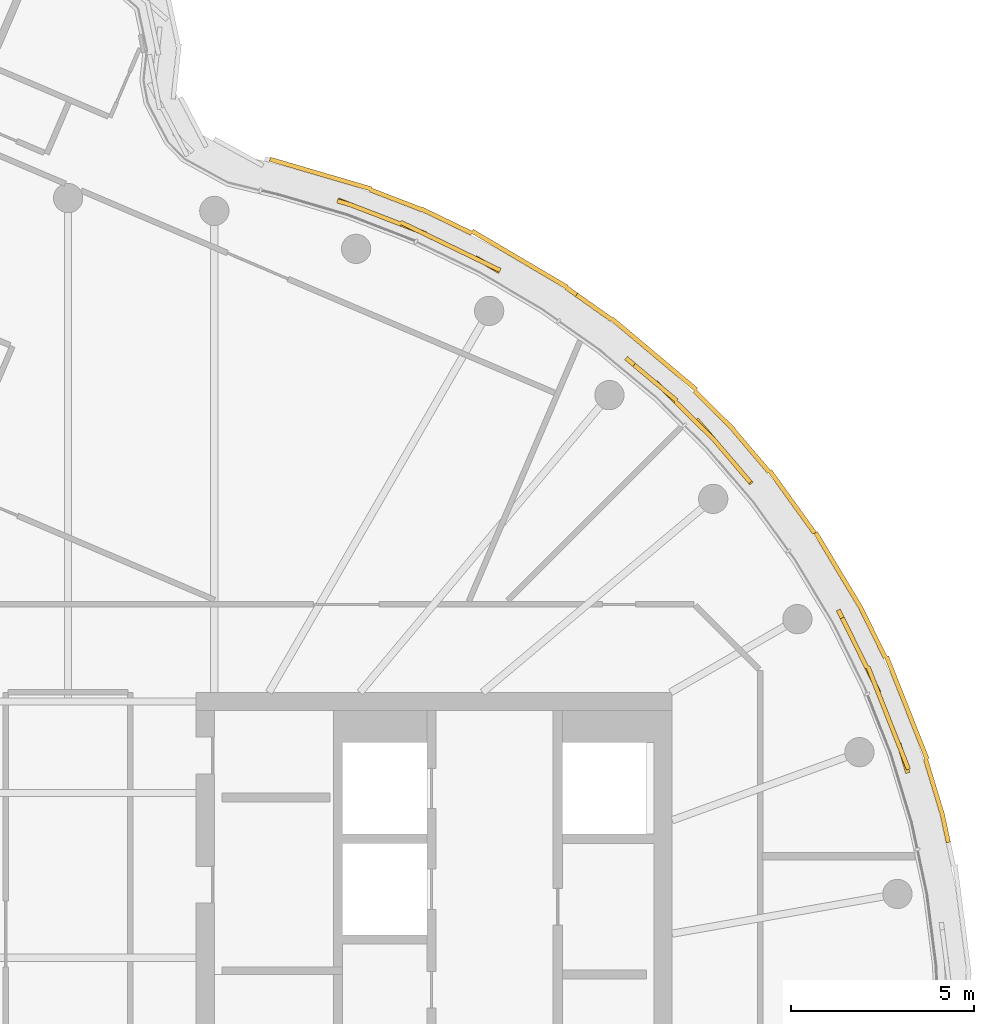
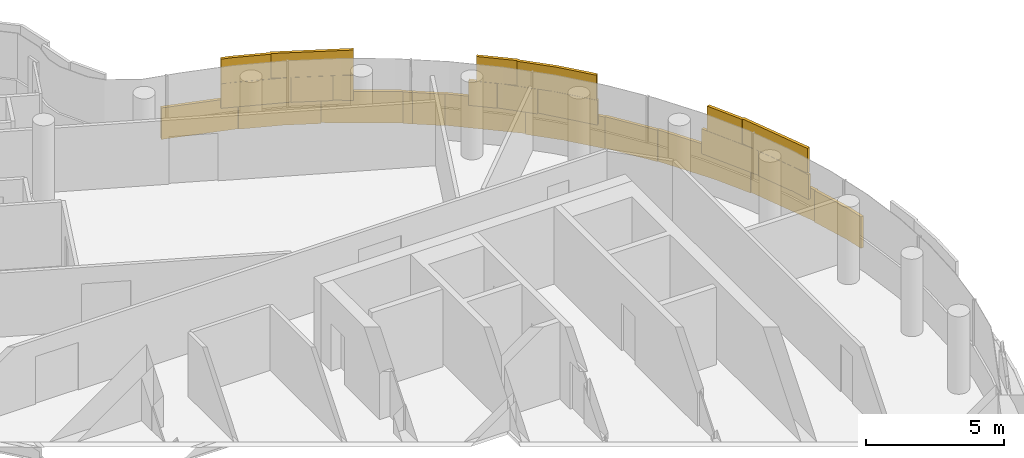
# One storey, part 19 of 20: 3 coverings.
"""IFC4 building model written with IfcOpenShell, lengths in metres."""

from ifc_helpers import new_model, si_unit, direction, frame, origin, origin_2d, place, context, subcontext, project, spatial, rectangle, extrude, material, layer, layer_set, type_object, element, save


model = new_model("IFC4")

# Units and contexts
model_context = context("Model", 3, precision=1e-05, world=origin(), true_north=direction((0.0, 1.0)))
body_context = subcontext(model_context, "Body", "Model", "MODEL_VIEW")
ifc_project = project(units=[si_unit("LENGTHUNIT", "METRE"), si_unit("AREAUNIT", "SQUARE_METRE"), si_unit("VOLUMEUNIT", "CUBIC_METRE"), si_unit("PLANEANGLEUNIT", "RADIAN"), si_unit("MASSUNIT", "GRAM", prefix="KILO")], contexts=[model_context])

# Site, building, storey
site_placement = place(None, origin())
site = spatial("IfcSite", under=ifc_project, at=site_placement, CompositionType="ELEMENT")
building_placement = place(site_placement, origin())
building = spatial("IfcBuilding", under=site, at=building_placement, Name="Tamarind Cross Interchange Tower", CompositionType="ELEMENT")
storey_placement = place(building_placement, frame((0.0, 0.0, 274.800048828125)))
storey = spatial("IfcBuildingStorey", under=building, at=storey_placement, Name="L70", CompositionType="ELEMENT", Elevation=274.800048828125)

# Coverings
ifc_material = material(Name="Terracotta", Category="masonry")
ifc_layer = layer(ifc_material, 0.1201171875)
ifc_layer_set = layer_set([ifc_layer], Name="Terracotta")
covering_type = type_object("IfcCoveringType", Name="Terracotta baguette screen unit", PredefinedType="MOLDING", material=ifc_layer_set)
covering_1_placement = place(storey_placement, origin())
element("IfcCovering", 1, at=covering_1_placement, inside=storey, type_object=covering_type, Name="SCR-L70-01-12", PredefinedType="MOLDING", context=body_context, shape_type="SweptSolid", body=[
    extrude(rectangle(XDim=0.852783203125, YDim=0.1201171875, at=origin_2d()), frame((22.8115234375, 7.705322265625, 1.40380859375), z_axis=(0.0, 0.0, 1.0), x_axis=(-0.289458243079, 0.957190642199, 0.0)), (0.0, 0.0, 1.0), 1.092041015625),
    extrude(rectangle(XDim=1.52001953125, YDim=0.1201171875, at=origin_2d()), frame((22.3984375, 8.80078125, 1.40380859375), z_axis=(0.0, 0.0, 1.0), x_axis=(-0.367513773146, 0.930018078613, 0.0)), (0.0, 0.0, 1.0), 1.092041015625),
    extrude(rectangle(XDim=1.52001953125, YDim=0.1201171875, at=origin_2d()), frame((21.812744140625, 10.180419921875, 1.40380859375), z_axis=(0.0, 0.0, 1.0), x_axis=(-0.443058811505, 0.896492548518, 0.0)), (0.0, 0.0, 1.0), 1.092041015625),
    extrude(rectangle(XDim=1.010009765625, YDim=0.1201171875, at=origin_2d()), frame((21.2587890625, 11.301025390625, 1.40380859375), z_axis=(0.0, 0.0, 1.0), x_axis=(-0.443058811505, 0.896492548518, 0.0)), (0.0, 0.0, 1.0), 1.092041015625),
    extrude(rectangle(XDim=1.52001953125, YDim=0.1201171875, at=origin_2d()), frame((22.674072265625, 8.103271484375, 2.50390625), z_axis=(0.0, 0.0, 1.0), x_axis=(-0.367513773146, 0.930018078613, 0.0)), (0.0, 0.0, 1.0), 1.092041015625),
    extrude(rectangle(XDim=1.52001953125, YDim=0.1201171875, at=origin_2d()), frame((22.122802734375, 9.498291015625, 2.50390625), z_axis=(0.0, 0.0, 1.0), x_axis=(-0.367513773146, 0.930018078613, 0.0)), (0.0, 0.0, 1.0), 1.092041015625),
    extrude(rectangle(XDim=1.52001953125, YDim=0.1201171875, at=origin_2d()), frame((21.48046875, 10.852783203125, 2.50390625), z_axis=(0.0, 0.0, 1.0), x_axis=(-0.443058811505, 0.896492548518, 0.0)), (0.0, 0.0, 1.0), 1.092041015625),
    extrude(rectangle(XDim=0.86083984375, YDim=0.1201171875, at=origin_2d()), frame((23.951171875, 5.822998046875, 0.00390625), z_axis=(0.0, 0.0, 1.0), x_axis=(-0.209425419705, 0.977824623121, 0.0)), (0.0, 0.0, 1.0), 1.39208984375),
    extrude(rectangle(XDim=1.52001953125, YDim=0.1201171875, at=origin_2d()), frame((23.6396484375, 6.9501953125, 0.00390625), z_axis=(0.0, 0.0, 1.0), x_axis=(-0.289458243079, 0.957190642199, 0.0)), (0.0, 0.0, 1.0), 1.39208984375),
    extrude(rectangle(XDim=1.52001953125, YDim=0.1201171875, at=origin_2d()), frame((23.1826171875, 8.378173828125, 0.00390625), z_axis=(0.0, 0.0, 1.0), x_axis=(-0.367513773146, 0.930018078613, 0.0)), (0.0, 0.0, 1.0), 1.39208984375),
    extrude(rectangle(XDim=1.52001953125, YDim=0.1201171875, at=origin_2d()), frame((22.63134765625, 9.773193359375, 0.00390625), z_axis=(0.0, 0.0, 1.0), x_axis=(-0.367513773146, 0.930018078613, 0.0)), (0.0, 0.0, 1.0), 1.39208984375),
    extrude(rectangle(XDim=1.52001953125, YDim=0.1201171875, at=origin_2d()), frame((21.985595703125, 11.126220703125, 0.00390625), z_axis=(0.0, 0.0, 1.0), x_axis=(-0.443058811505, 0.896492548518, 0.0)), (0.0, 0.0, 1.0), 1.39208984375),
    extrude(rectangle(XDim=1.52001953125, YDim=0.1201171875, at=origin_2d()), frame((21.26904296875, 12.442626953125, 0.00390625), z_axis=(0.0, 0.0, 1.0), x_axis=(-0.515577308909, 0.856843065292, 0.0)), (0.0, 0.0, 1.0), 1.39208984375),
    extrude(rectangle(XDim=0.917724609375, YDim=0.1201171875, at=origin_2d()), frame((20.651123046875, 13.4697265625, 0.00390625), z_axis=(0.0, 0.0, 1.0), x_axis=(-0.515577308909, 0.856843065292, 0.0)), (0.0, 0.0, 1.0), 1.39208984375),
])
covering_2_placement = place(storey_placement, origin())
element("IfcCovering", 2, at=covering_2_placement, inside=storey, type_object=covering_type, Name="SCR-L70-01-13", PredefinedType="MOLDING", context=body_context, shape_type="SweptSolid", body=[
    extrude(rectangle(XDim=0.81005859375, YDim=0.1201171875, at=origin_2d()), frame((18.400634765625, 15.510986328125, 1.40380859375), z_axis=(0.0, 0.0, 1.0), x_axis=(-0.64957723968, 0.760295606781, 0.0)), (0.0, 0.0, 1.0), 1.092041015625),
    extrude(rectangle(XDim=1.52001953125, YDim=0.1201171875, at=origin_2d()), frame((17.653564453125, 16.38525390625, 1.40380859375), z_axis=(0.0, 0.0, 1.0), x_axis=(-0.64957723968, 0.760295606781, 0.0)), (0.0, 0.0, 1.0), 1.092041015625),
    extrude(rectangle(XDim=1.52001953125, YDim=0.1201171875, at=origin_2d()), frame((16.588623046875, 17.441650390625, 1.40380859375), z_axis=(0.0, 0.0, 1.0), x_axis=(-0.710143317658, 0.704057148523, 0.0)), (0.0, 0.0, 1.0), 1.092041015625),
    extrude(rectangle(XDim=1.05322265625, YDim=0.1201171875, at=origin_2d()), frame((15.642333984375, 18.28955078125, 1.40380859375), z_axis=(0.0, 0.0, 1.0), x_axis=(-0.765858396687, 0.643009266048, 0.0)), (0.0, 0.0, 1.0), 1.092041015625),
    extrude(rectangle(XDim=1.52001953125, YDim=0.1201171875, at=origin_2d()), frame((18.140869140625, 15.81494140625, 2.50390625), z_axis=(0.0, 0.0, 1.0), x_axis=(-0.64957723968, 0.760295606781, 0.0)), (0.0, 0.0, 1.0), 1.092041015625),
    extrude(rectangle(XDim=1.52001953125, YDim=0.1201171875, at=origin_2d()), frame((17.121337890625, 16.91357421875, 2.50390625), z_axis=(0.0, 0.0, 1.0), x_axis=(-0.710143317658, 0.704057148523, 0.0)), (0.0, 0.0, 1.0), 1.092041015625),
    extrude(rectangle(XDim=1.52001953125, YDim=0.1201171875, at=origin_2d()), frame((16.0419921875, 17.9541015625, 2.50390625), z_axis=(0.0, 0.0, 1.0), x_axis=(-0.765858396687, 0.643009266048, 0.0)), (0.0, 0.0, 1.0), 1.092041015625),
    extrude(rectangle(XDim=0.602294921875, YDim=0.1201171875, at=origin_2d()), frame((20.21533203125, 14.092041015625, 0.00390625), z_axis=(0.0, 0.0, 1.0), x_axis=(-0.584573890505, 0.811340475102, 0.0)), (0.0, 0.0, 1.0), 1.39208984375),
    extrude(rectangle(XDim=1.52001953125, YDim=0.1201171875, at=origin_2d()), frame((19.606689453125, 14.936767578125, 0.00390625), z_axis=(0.0, 0.0, 1.0), x_axis=(-0.584573890505, 0.811340475102, 0.0)), (0.0, 0.0, 1.0), 1.39208984375),
    extrude(rectangle(XDim=1.52001953125, YDim=0.1201171875, at=origin_2d()), frame((18.656005859375, 16.095703125, 0.00390625), z_axis=(0.0, 0.0, 1.0), x_axis=(-0.64957723968, 0.760295606781, 0.0)), (0.0, 0.0, 1.0), 1.39208984375),
    extrude(rectangle(XDim=1.52001953125, YDim=0.1201171875, at=origin_2d()), frame((17.645263671875, 17.202392578125, 0.00390625), z_axis=(0.0, 0.0, 1.0), x_axis=(-0.710143317658, 0.704057148523, 0.0)), (0.0, 0.0, 1.0), 1.39208984375),
    extrude(rectangle(XDim=1.52001953125, YDim=0.1201171875, at=origin_2d()), frame((16.576416015625, 18.2548828125, 0.00390625), z_axis=(0.0, 0.0, 1.0), x_axis=(-0.765858396687, 0.643009266048, 0.0)), (0.0, 0.0, 1.0), 1.39208984375),
    extrude(rectangle(XDim=1.52001953125, YDim=0.1201171875, at=origin_2d()), frame((15.427734375, 19.21923828125, 0.00390625), z_axis=(0.0, 0.0, 1.0), x_axis=(-0.765858396687, 0.643009266048, 0.0)), (0.0, 0.0, 1.0), 1.39208984375),
    extrude(rectangle(XDim=1.1767578125, YDim=0.1201171875, at=origin_2d()), frame((14.367431640625, 20.017578125, 0.00390625), z_axis=(0.0, 0.0, 1.0), x_axis=(-0.816341886298, 0.577568978284, 0.0)), (0.0, 0.0, 1.0), 1.39208984375),
])
covering_3_placement = place(storey_placement, origin())
element("IfcCovering", 3, at=covering_3_placement, inside=storey, type_object=covering_type, Name="SCR-L70-01-14", PredefinedType="MOLDING", context=body_context, shape_type="SweptSolid", body=[
    extrude(rectangle(XDim=0.766845703125, YDim=0.1201171875, at=origin_2d()), frame((11.455322265625, 21.183349609375, 1.40380859375), z_axis=(0.0, 0.0, 1.0), x_axis=(-0.861248933065, 0.508183308752, 0.0)), (0.0, 0.0, 1.0), 1.092041015625),
    extrude(rectangle(XDim=1.52001953125, YDim=0.1201171875, at=origin_2d()), frame((10.443359375, 21.681396484375, 1.40380859375), z_axis=(0.0, 0.0, 1.0), x_axis=(-0.900272776334, 0.435326231914, 0.0)), (0.0, 0.0, 1.0), 1.092041015625),
    extrude(rectangle(XDim=1.52001953125, YDim=0.1201171875, at=origin_2d()), frame((9.074951171875, 22.29345703125, 1.40380859375), z_axis=(0.0, 0.0, 1.0), x_axis=(-0.933146843667, 0.359495435512, 0.0)), (0.0, 0.0, 1.0), 1.092041015625),
    extrude(rectangle(XDim=1.08935546875, YDim=0.1201171875, at=origin_2d()), frame((7.87158203125, 22.757080078125, 1.40380859375), z_axis=(0.0, 0.0, 1.0), x_axis=(-0.933146843667, 0.359495435512, 0.0)), (0.0, 0.0, 1.0), 1.092041015625),
    extrude(rectangle(XDim=1.52001953125, YDim=0.1201171875, at=origin_2d()), frame((11.118408203125, 21.35498046875, 2.50390625), z_axis=(0.0, 0.0, 1.0), x_axis=(-0.900272776334, 0.435326231914, 0.0)), (0.0, 0.0, 1.0), 1.092041015625),
    extrude(rectangle(XDim=1.52001953125, YDim=0.1201171875, at=origin_2d()), frame((9.76806640625, 22.008056640625, 2.50390625), z_axis=(0.0, 0.0, 1.0), x_axis=(-0.900272776334, 0.435326231914, 0.0)), (0.0, 0.0, 1.0), 1.092041015625),
    extrude(rectangle(XDim=1.52001953125, YDim=0.1201171875, at=origin_2d()), frame((8.375244140625, 22.56298828125, 2.50390625), z_axis=(0.0, 0.0, 1.0), x_axis=(-0.933146843667, 0.359495435512, 0.0)), (0.0, 0.0, 1.0), 1.092041015625),
    extrude(rectangle(XDim=0.33935546875, YDim=0.1201171875, at=origin_2d()), frame((7.515869140625, 22.875, 2.50390625), z_axis=(0.0, 0.0, 1.0), x_axis=(-0.95964657186, 0.281208920763, 0.0)), (0.0, 0.0, 1.0), 1.092041015625),
    extrude(rectangle(XDim=0.34326171875, YDim=0.1201171875, at=origin_2d()), frame((13.7470703125, 20.45654296875, 0.00390625), z_axis=(0.0, 0.0, 1.0), x_axis=(-0.816341886298, 0.577568978284, 0.0)), (0.0, 0.0, 1.0), 1.39208984375),
    extrude(rectangle(XDim=1.52001953125, YDim=0.1201171875, at=origin_2d()), frame((12.98095703125, 20.949462890625, 0.00390625), z_axis=(0.0, 0.0, 1.0), x_axis=(-0.861248933065, 0.508183308752, 0.0)), (0.0, 0.0, 1.0), 1.39208984375),
    extrude(rectangle(XDim=1.52001953125, YDim=0.1201171875, at=origin_2d()), frame((11.68896484375, 21.711669921875, 0.00390625), z_axis=(0.0, 0.0, 1.0), x_axis=(-0.861248933065, 0.508183308752, 0.0)), (0.0, 0.0, 1.0), 1.39208984375),
    extrude(rectangle(XDim=1.52001953125, YDim=0.1201171875, at=origin_2d()), frame((10.3408203125, 22.36865234375, 0.00390625), z_axis=(0.0, 0.0, 1.0), x_axis=(-0.900272776334, 0.435326231914, 0.0)), (0.0, 0.0, 1.0), 1.39208984375),
    extrude(rectangle(XDim=1.52001953125, YDim=0.1201171875, at=origin_2d()), frame((8.96044921875, 22.95263671875, 0.00390625), z_axis=(0.0, 0.0, 1.0), x_axis=(-0.933146843667, 0.359495435512, 0.0)), (0.0, 0.0, 1.0), 1.39208984375),
    extrude(rectangle(XDim=1.52001953125, YDim=0.1201171875, at=origin_2d()), frame((7.55078125, 23.462890625, 0.00390625), z_axis=(0.0, 0.0, 1.0), x_axis=(-0.95964657186, 0.281208920763, 0.0)), (0.0, 0.0, 1.0), 1.39208984375),
    extrude(rectangle(XDim=1.384521484375, YDim=0.1201171875, at=origin_2d()), frame((6.176513671875, 23.86572265625, 0.00390625), z_axis=(0.0, 0.0, 1.0), x_axis=(-0.95964657186, 0.281208920763, 0.0)), (0.0, 0.0, 1.0), 1.39208984375),
])

save(model, "model.ifc")
